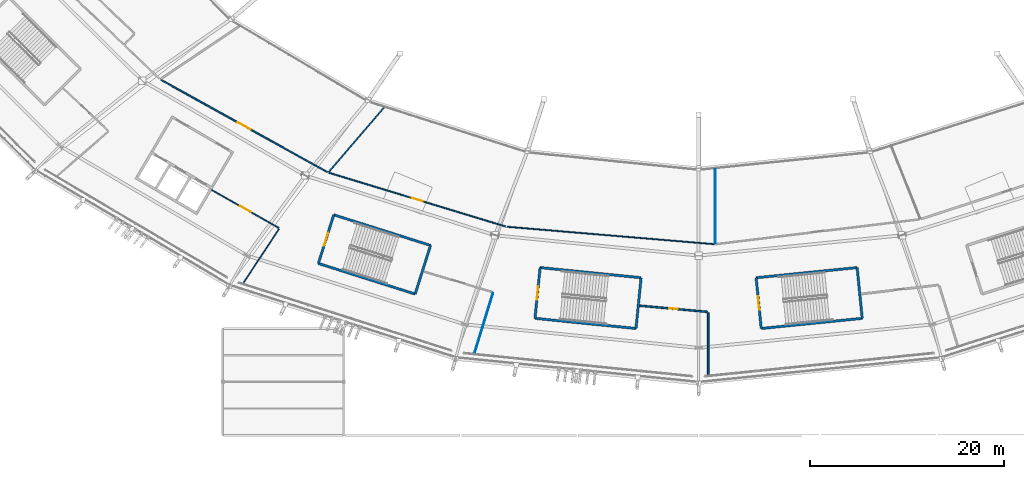
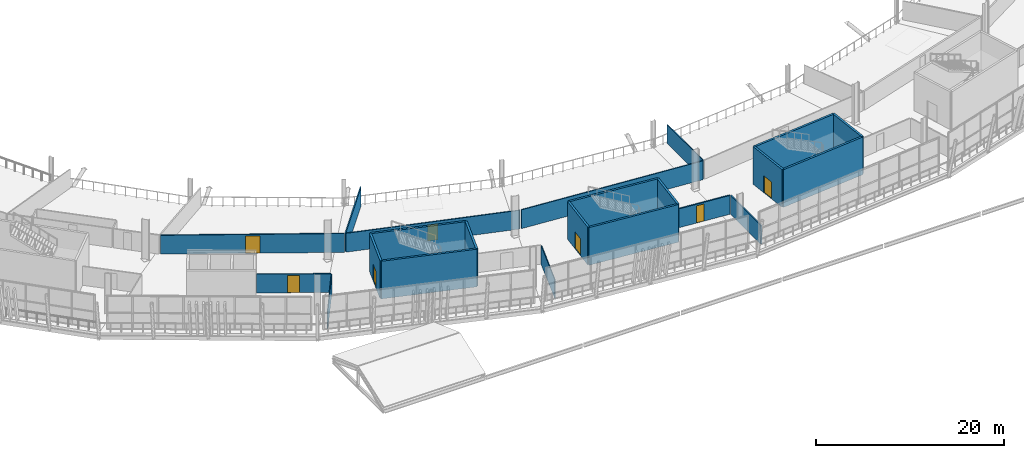
# One storey, part 117 of 168: 22 walls, 7 doors, 7 openings.
"""IFC4 building model written with IfcOpenShell, lengths in metres."""

from ifc_helpers import new_model, si_unit, direction, frame, frame_2d, origin, place, context, subcontext, project, spatial, rectangle, extrude, material, layer, layer_set, type_object, element, fill, save


model = new_model("IFC4")

# Units and contexts
model_context = context("Model", 3, precision=1e-05, world=origin(), true_north=direction((0.0, 1.0)))
body_context = subcontext(model_context, "Body", "Model", "MODEL_VIEW")
ifc_project = project(units=[si_unit("LENGTHUNIT", "METRE"), si_unit("AREAUNIT", "SQUARE_METRE"), si_unit("VOLUMEUNIT", "CUBIC_METRE"), si_unit("PLANEANGLEUNIT", "RADIAN"), si_unit("MASSUNIT", "GRAM", prefix="KILO")], contexts=[model_context])

# Site, building, storey
site_placement = place(None, origin())
site = spatial("IfcSite", under=ifc_project, at=site_placement, CompositionType="ELEMENT")
building_placement = place(site_placement, origin())
building = spatial("IfcBuilding", under=site, at=building_placement, Name="Zlatoyarsky Gate Stadium", CompositionType="ELEMENT")
storey_placement = place(building_placement, frame((0.0, 0.0, 15.60009765625)))
storey = spatial("IfcBuildingStorey", under=building, at=storey_placement, Name="L03", CompositionType="ELEMENT", Elevation=15.60009765625)

# Wall, opening, door
ifc_material_1 = material(Name="Double-stud acoustic gypsum partition", Category="gypsum")
ifc_layer_1 = layer(ifc_material_1, 0.169921875)
ifc_layer_set_1 = layer_set([ifc_layer_1], Name="Double-stud acoustic gypsum partition")
wall_type_1 = type_object("IfcWallType", Name="ACOUSTIC BROADCAST STUDIO WALL 170", PredefinedType="PARTITIONING", material=ifc_layer_set_1)
wall_1_placement = place(storey_placement, frame((104.920166015625, 13.34619140625, 0.0), z_axis=(0.0, 0.0, 1.0), x_axis=(0.995852050998, -0.09098732067, 0.0)))
wall_1 = element("IfcWall", 1, at=wall_1_placement, inside=storey, type_object=wall_type_1, Name="L03 interior partition PRT-L03-OCC-17-1", PredefinedType="PARTITIONING", context=body_context, shape_type="SweptSolid", body=[
    extrude(rectangle(XDim=7.019287109375, YDim=0.169921875, at=frame_2d((3.509765625, 0.0))), origin(), (0.0, 0.0, 1.0), 2.449951171875),
])
opening_1_placement = place(wall_1_placement, frame((3.059814453125, 0.0, 0.0)))
opening_1 = element("IfcOpeningElement", 2, at=opening_1_placement, cuts=wall_1, Name="Opening D-L03-480", PredefinedType="OPENING", context=body_context, shape_type="SweptSolid", body=[
    extrude(rectangle(XDim=0.89990234375, YDim=2.239990234375, at=frame_2d((0.449951171875, 1.1201171875))), frame((0.0, 0.094970703125, 0.0), z_axis=(0.0, -1.0, 0.0), x_axis=(1.0, 0.0, 0.0)), (0.0, 0.0, 1.0), 0.18994140625),
])
ifc_material_2 = material(Name="Powder-coated steel fire door", Category="steel")
door_type_1 = type_object("IfcDoorType", Name="ACOUSTIC INTERIOR DOOR 900X2240", OperationType="NOTDEFINED", PredefinedType="DOOR", material=ifc_material_2)
door_1_placement = place(opening_1_placement, origin())
door_1 = element("IfcDoor", 3, at=door_1_placement, inside=storey, type_object=door_type_1, Name="L03 room door D-L03-480", OperationType="SINGLE_SWING_LEFT", OverallHeight=2.239990234375, OverallWidth=0.89990234375, PredefinedType="DOOR", context=body_context, shape_type="SweptSolid", body=[
    extrude(rectangle(XDim=0.89990234375, YDim=2.239990234375, at=frame_2d((0.449951171875, 1.1201171875))), frame((0.0, 0.02490234375, 0.0), z_axis=(0.0, -1.0, 0.0), x_axis=(1.0, 0.0, 0.0)), (0.0, 0.0, 1.0), 0.050048828125),
])
fill(opening_1, door_1)

ifc_material_3 = material(Name="Moisture-resistant masonry partition", Category="masonry")
ifc_layer_2 = layer(ifc_material_3, 0.139892578125)
ifc_layer_set_2 = layer_set([ifc_layer_2], Name="Moisture-resistant masonry partition")
wall_type_2 = type_object("IfcWallType", Name="ATHLETE CHANGING BLOCK PARTITION 140", PredefinedType="PARTITIONING", material=ifc_layer_set_2)
wall_2_placement = place(storey_placement, frame((55.64111328125, 36.6005859375, 0.0), z_axis=(0.0, 0.0, 1.0), x_axis=(0.874574509401, -0.484891150162, 0.0)))
wall_2 = element("IfcWall", 4, at=wall_2_placement, inside=storey, type_object=wall_type_2, Name="L03 interior partition PRT-L03-ICC-15", PredefinedType="PARTITIONING", context=body_context, shape_type="SweptSolid", body=[
    extrude(rectangle(XDim=19.609130859375, YDim=0.139892578125, at=frame_2d((9.8046875, 0.0))), origin(), (0.0, 0.0, 1.0), 2.449951171875),
])
opening_2_placement = place(wall_2_placement, frame((9.0244140625, 0.0, 0.0)))
opening_2 = element("IfcOpeningElement", 5, at=opening_2_placement, cuts=wall_2, Name="Opening D-L03-433", PredefinedType="OPENING", context=body_context, shape_type="SweptSolid", body=[
    extrude(rectangle(XDim=1.56005859375, YDim=2.239990234375, at=frame_2d((0.780029296875, 1.1201171875))), frame((0.0, 0.079833984375, 0.0), z_axis=(0.0, -1.0, 0.0), x_axis=(1.0, 0.0, 0.0)), (0.0, 0.0, 1.0), 0.159912109375),
])
door_type_2 = type_object("IfcDoorType", Name="ACOUSTIC INTERIOR DOOR 1560X2240", OperationType="NOTDEFINED", PredefinedType="DOOR", material=ifc_material_2)
door_2_placement = place(opening_2_placement, origin())
door_2 = element("IfcDoor", 6, at=door_2_placement, inside=storey, type_object=door_type_2, Name="L03 room door D-L03-433", OperationType="SINGLE_SWING_RIGHT", OverallHeight=2.239990234375, OverallWidth=1.56005859375, PredefinedType="DOOR", context=body_context, shape_type="SweptSolid", body=[
    extrude(rectangle(XDim=1.56005859375, YDim=2.239990234375, at=frame_2d((0.780029296875, 1.1201171875))), frame((0.0, 0.02490234375, 0.0), z_axis=(0.0, -1.0, 0.0), x_axis=(1.0, 0.0, 0.0)), (0.0, 0.0, 1.0), 0.050048828125),
])
fill(opening_2, door_2)

ifc_material_4 = material(Name="Concrete C40/50", Category="concrete")
ifc_layer_3 = layer(ifc_material_4, 0.25)
ifc_layer_set_3 = layer_set([ifc_layer_3], Name="Concrete C40/50")
wall_type_3 = type_object("IfcWallType", Name="CONCRETE STAIR CORE SHEAR WALL 250", PredefinedType="SHEAR", material=ifc_layer_set_3)
wall_3_placement = place(storey_placement, frame((73.436767578125, 22.69873046875, 0.0), z_axis=(0.0, 0.0, 1.0), x_axis=(-0.30152749866, -0.953457480726, 0.0)))
wall_3 = element("IfcWall", 7, at=wall_3_placement, inside=storey, type_object=wall_type_3, Name="ST-09 L03 stair core entrance shear wall", PredefinedType="SHEAR", context=body_context, shape_type="SweptSolid", body=[
    extrude(rectangle(XDim=5.25, YDim=0.25, at=frame_2d((2.625, 0.0))), origin(), (0.0, 0.0, 1.0), 4.89990234375),
])
opening_3_placement = place(wall_3_placement, frame((1.925048828125, 0.0, 0.0)))
opening_3 = element("IfcOpeningElement", 8, at=opening_3_placement, cuts=wall_3, Name="Opening SD-ST-09-L03", PredefinedType="OPENING", context=body_context, shape_type="SweptSolid", body=[
    extrude(rectangle(XDim=1.39990234375, YDim=2.199951171875, at=frame_2d((0.699951171875, 1.10009765625))), frame((0.0, 0.135009765625, 0.0), z_axis=(0.0, -1.0, 0.0), x_axis=(1.0, 0.0, 0.0)), (0.0, 0.0, 1.0), 0.27001953125),
])
door_type_3 = type_object("IfcDoorType", Name="STAIR CORE FIRE EXIT DOOR 1400X2200", OperationType="NOTDEFINED", PredefinedType="DOOR", material=ifc_material_2)
door_3_placement = place(opening_3_placement, frame((1.39990234375, 0.0, 0.0), z_axis=(0.0, 0.0, 1.0), x_axis=(-1.0, 0.0, 0.0)))
door_3 = element("IfcDoor", 9, at=door_3_placement, inside=storey, type_object=door_type_3, Name="ST-09 L03 stair fire door", OperationType="SINGLE_SWING_RIGHT", OverallHeight=2.199951171875, OverallWidth=1.39990234375, PredefinedType="DOOR", context=body_context, shape_type="SweptSolid", body=[
    extrude(rectangle(XDim=1.39990234375, YDim=2.199951171875, at=frame_2d((0.699951171875, 1.10009765625))), frame((0.0, 0.02490234375, 0.0), z_axis=(0.0, -1.0, 0.0), x_axis=(1.0, 0.0, 0.0)), (0.0, 0.0, 1.0), 0.050048828125),
])
fill(opening_3, door_3)

# Walls
wall_4_placement = place(storey_placement, frame((71.853759765625, 17.693115234375, 0.0), z_axis=(0.0, 0.0, 1.0), x_axis=(0.953461834254, -0.301513732061, 0.0)))
element("IfcWall", 10, at=wall_4_placement, inside=storey, type_object=wall_type_3, Name="ST-09 L03 stair core left shear wall", PredefinedType="SHEAR", context=body_context, shape_type="SweptSolid", body=[
    extrude(rectangle(XDim=10.4501953125, YDim=0.25, at=frame_2d((5.22509765625, 0.0))), origin(), (0.0, 0.0, 1.0), 4.89990234375),
])
wall_5_placement = place(storey_placement, frame((81.817626953125, 14.542236328125, 0.0), z_axis=(0.0, 0.0, 1.0), x_axis=(0.301485222482, 0.953470849384, 0.0)))
element("IfcWall", 11, at=wall_5_placement, inside=storey, type_object=wall_type_3, Name="ST-09 L03 stair core far shear wall", PredefinedType="SHEAR", context=body_context, shape_type="SweptSolid", body=[
    extrude(rectangle(XDim=5.25, YDim=0.25, at=frame_2d((2.625, 0.0))), origin(), (0.0, 0.0, 1.0), 4.89990234375),
])
wall_6_placement = place(storey_placement, frame((83.400390625, 19.5478515625, 0.0), z_axis=(0.0, 0.0, 1.0), x_axis=(-0.953459710305, 0.301520448438, 0.0)))
element("IfcWall", 12, at=wall_6_placement, inside=storey, type_object=wall_type_3, Name="ST-09 L03 stair core right shear wall", PredefinedType="SHEAR", context=body_context, shape_type="SweptSolid", body=[
    extrude(rectangle(XDim=10.449951171875, YDim=0.25, at=frame_2d((5.22509765625, 0.0))), origin(), (0.0, 0.0, 1.0), 4.89990234375),
])

# Wall, opening, door
wall_7_placement = place(storey_placement, frame((116.92138671875, 16.220947265625, 0.0), z_axis=(0.0, 0.0, 1.0), x_axis=(0.100028593886, -0.994984562898, 0.0)))
wall_7 = element("IfcWall", 13, at=wall_7_placement, inside=storey, type_object=wall_type_3, Name="ST-10 L03 stair core entrance shear wall", PredefinedType="SHEAR", context=body_context, shape_type="SweptSolid", body=[
    extrude(rectangle(XDim=5.25, YDim=0.25, at=frame_2d((2.625, 0.0))), origin(), (0.0, 0.0, 1.0), 4.89990234375),
])
opening_4_placement = place(wall_7_placement, frame((1.925048828125, 0.0, 0.0)))
opening_4 = element("IfcOpeningElement", 14, at=opening_4_placement, cuts=wall_7, Name="Opening SD-ST-10-L03", PredefinedType="OPENING", context=body_context, shape_type="SweptSolid", body=[
    extrude(rectangle(XDim=1.39990234375, YDim=2.199951171875, at=frame_2d((0.699951171875, 1.10009765625))), frame((0.0, 0.135009765625, 0.0), z_axis=(0.0, -1.0, 0.0), x_axis=(1.0, 0.0, 0.0)), (0.0, 0.0, 1.0), 0.27001953125),
])
door_4_placement = place(opening_4_placement, frame((1.39990234375, 0.0, 0.0), z_axis=(0.0, 0.0, 1.0), x_axis=(-1.0, 0.0, 0.0)))
door_4 = element("IfcDoor", 15, at=door_4_placement, inside=storey, type_object=door_type_3, Name="ST-10 L03 stair fire door", OperationType="SINGLE_SWING_LEFT", OverallHeight=2.199951171875, OverallWidth=1.39990234375, PredefinedType="DOOR", context=body_context, shape_type="SweptSolid", body=[
    extrude(rectangle(XDim=1.39990234375, YDim=2.199951171875, at=frame_2d((0.699951171875, 1.10009765625))), frame((0.0, 0.02490234375, 0.0), z_axis=(0.0, -1.0, 0.0), x_axis=(1.0, 0.0, 0.0)), (0.0, 0.0, 1.0), 0.050048828125),
])
fill(opening_4, door_4)

# Walls
wall_8_placement = place(storey_placement, frame((117.446533203125, 10.997314453125, 0.0), z_axis=(0.0, 0.0, 1.0), x_axis=(0.994985938948, 0.100014905366, 0.0)))
element("IfcWall", 16, at=wall_8_placement, inside=storey, type_object=wall_type_3, Name="ST-10 L03 stair core left shear wall", PredefinedType="SHEAR", context=body_context, shape_type="SweptSolid", body=[
    extrude(rectangle(XDim=10.4501953125, YDim=0.25, at=frame_2d((5.22509765625, 0.0))), origin(), (0.0, 0.0, 1.0), 4.89990234375),
])
wall_9_placement = place(storey_placement, frame((127.84423828125, 12.04248046875, 0.0), z_axis=(0.0, 0.0, 1.0), x_axis=(-0.100028593886, 0.994984562898, 0.0)))
element("IfcWall", 17, at=wall_9_placement, inside=storey, type_object=wall_type_3, Name="ST-10 L03 stair core far shear wall", PredefinedType="SHEAR", context=body_context, shape_type="SweptSolid", body=[
    extrude(rectangle(XDim=5.25, YDim=0.25, at=frame_2d((2.625, 0.0))), origin(), (0.0, 0.0, 1.0), 4.89990234375),
])
wall_10_placement = place(storey_placement, frame((127.319091796875, 17.26611328125, 0.0), z_axis=(0.0, 0.0, 1.0), x_axis=(-0.994985938948, -0.100014905366, 0.0)))
element("IfcWall", 18, at=wall_10_placement, inside=storey, type_object=wall_type_3, Name="ST-10 L03 stair core right shear wall", PredefinedType="SHEAR", context=body_context, shape_type="SweptSolid", body=[
    extrude(rectangle(XDim=10.4501953125, YDim=0.25, at=frame_2d((5.22509765625, 0.0))), origin(), (0.0, 0.0, 1.0), 4.89990234375),
])

# Wall, opening, door
wall_11_placement = place(storey_placement, frame((94.680908203125, 17.26611328125, 0.0), z_axis=(0.0, 0.0, 1.0), x_axis=(-0.10002396577, -0.994985028165, 0.0)))
wall_11 = element("IfcWall", 19, at=wall_11_placement, inside=storey, type_object=wall_type_3, Name="ST-19 L03 stair core entrance shear wall", PredefinedType="SHEAR", context=body_context, shape_type="SweptSolid", body=[
    extrude(rectangle(XDim=5.250244140625, YDim=0.25, at=frame_2d((2.625, 0.0))), origin(), (0.0, 0.0, 1.0), 4.89990234375),
])
opening_5_placement = place(wall_11_placement, frame((1.925048828125, 0.0, 0.0)))
opening_5 = element("IfcOpeningElement", 20, at=opening_5_placement, cuts=wall_11, Name="Opening SD-ST-19-L03", PredefinedType="OPENING", context=body_context, shape_type="SweptSolid", body=[
    extrude(rectangle(XDim=1.39990234375, YDim=2.199951171875, at=frame_2d((0.699951171875, 1.10009765625))), frame((0.0, 0.135009765625, 0.0), z_axis=(0.0, -1.0, 0.0), x_axis=(1.0, 0.0, 0.0)), (0.0, 0.0, 1.0), 0.27001953125),
])
door_5_placement = place(opening_5_placement, frame((1.39990234375, 0.0, 0.0), z_axis=(0.0, 0.0, 1.0), x_axis=(-1.0, 0.0, 0.0)))
door_5 = element("IfcDoor", 21, at=door_5_placement, inside=storey, type_object=door_type_3, Name="ST-19 L03 stair fire door", OperationType="SINGLE_SWING_LEFT", OverallHeight=2.199951171875, OverallWidth=1.39990234375, PredefinedType="DOOR", context=body_context, shape_type="SweptSolid", body=[
    extrude(rectangle(XDim=1.39990234375, YDim=2.199951171875, at=frame_2d((0.699951171875, 1.10009765625))), frame((0.0, 0.02490234375, 0.0), z_axis=(0.0, -1.0, 0.0), x_axis=(1.0, 0.0, 0.0)), (0.0, 0.0, 1.0), 0.050048828125),
])
fill(opening_5, door_5)

# Walls
wall_12_placement = place(storey_placement, frame((94.15576171875, 12.042236328125, 0.0), z_axis=(0.0, 0.0, 1.0), x_axis=(0.994988263568, -0.09999177647, 0.0)))
element("IfcWall", 22, at=wall_12_placement, inside=storey, type_object=wall_type_3, Name="ST-19 L03 stair core left shear wall", PredefinedType="SHEAR", context=body_context, shape_type="SweptSolid", body=[
    extrude(rectangle(XDim=10.4501953125, YDim=0.25, at=frame_2d((5.22509765625, 0.0))), origin(), (0.0, 0.0, 1.0), 4.89990234375),
])
wall_13_placement = place(storey_placement, frame((104.553466796875, 10.997314453125, 0.0), z_axis=(0.0, 0.0, 1.0), x_axis=(0.099982555566, 0.994989190184, 0.0)))
element("IfcWall", 23, at=wall_13_placement, inside=storey, type_object=wall_type_3, Name="ST-19 L03 stair core far shear wall", PredefinedType="SHEAR", context=body_context, shape_type="SweptSolid", body=[
    extrude(rectangle(XDim=5.25, YDim=0.25, at=frame_2d((2.625, 0.0))), origin(), (0.0, 0.0, 1.0), 4.89990234375),
])
wall_14_placement = place(storey_placement, frame((105.078369140625, 16.220947265625, 0.0), z_axis=(0.0, 0.0, 1.0), x_axis=(-0.994985705245, 0.100017230303, 0.0)))
element("IfcWall", 24, at=wall_14_placement, inside=storey, type_object=wall_type_3, Name="ST-19 L03 stair core right shear wall", PredefinedType="SHEAR", context=body_context, shape_type="SweptSolid", body=[
    extrude(rectangle(XDim=10.449951171875, YDim=0.25, at=frame_2d((5.22509765625, 0.0))), origin(), (0.0, 0.0, 1.0), 4.89990234375),
])
ifc_material_5 = material(Name="Timber-veneered acoustic operable partition", Category="wood")
ifc_layer_4 = layer(ifc_material_5, 0.094970703125)
ifc_layer_set_4 = layer_set([ifc_layer_4], Name="Timber-veneered acoustic operable partition")
wall_type_4 = type_object("IfcWallType", Name="FOLDING BANQUET SALON WALL 95", PredefinedType="MOVABLE", material=ifc_layer_set_4)
wall_15_placement = place(storey_placement, frame((89.83642578125, 14.640625, 0.0), z_axis=(0.0, 0.0, 1.0), x_axis=(-0.294734485417, -0.95557918725, 0.0)))
element("IfcWall", 25, at=wall_15_placement, inside=storey, type_object=wall_type_4, Name="L03 interior partition PRT-L03-ORD-16R", PredefinedType="MOVABLE", context=body_context, shape_type="SweptSolid", body=[
    extrude(rectangle(XDim=6.505859375, YDim=0.094970703125, at=frame_2d((3.2529296875, 0.0))), origin(), (0.0, 0.0, 1.0), 2.449951171875),
])
ifc_material_6 = material(Name="Acoustic metal-stud gypsum partition", Category="gypsum")
ifc_layer_5 = layer(ifc_material_6, 0.159912109375)
ifc_layer_set_5 = layer_set([ifc_layer_5], Name="Acoustic metal-stud gypsum partition")
wall_type_5 = type_object("IfcWallType", Name="HOSPITALITY SUITE PARTITION 160", PredefinedType="PARTITIONING", material=ifc_layer_set_5)
wall_16_placement = place(storey_placement, frame((111.9951171875, 12.614990234375, 0.0), z_axis=(0.0, 0.0, 1.0), x_axis=(-3.796219e-05, -0.999999999279, 0.0)))
element("IfcWall", 26, at=wall_16_placement, inside=storey, type_object=wall_type_5, Name="L03 interior partition PRT-L03-ORD-17R", PredefinedType="PARTITIONING", context=body_context, shape_type="SweptSolid", body=[
    extrude(rectangle(XDim=6.43115234375, YDim=0.159912109375, at=frame_2d((3.215576171875, 0.0))), origin(), (0.0, 0.0, 1.0), 2.449951171875),
])
ifc_material_7 = material(Name="Metal-stud gypsum partition", Category="gypsum")
ifc_layer_6 = layer(ifc_material_7, 0.110107421875)
ifc_layer_set_6 = layer_set([ifc_layer_6], Name="Metal-stud gypsum partition")
wall_type_6 = type_object("IfcWallType", Name="KIOSK SERVICE PARTITION 110", PredefinedType="PARTITIONING", material=ifc_layer_set_6)
wall_17_placement = place(storey_placement, frame((91.276611328125, 21.469970703125, 0.0), z_axis=(0.0, 0.0, 1.0), x_axis=(0.996481037388, -0.083818507065, 0.0)))
element("IfcWall", 27, at=wall_17_placement, inside=storey, type_object=wall_type_6, Name="L03 interior partition PRT-L03-ICC-17M", PredefinedType="PARTITIONING", context=body_context, shape_type="SweptSolid", body=[
    extrude(rectangle(XDim=21.40576171875, YDim=0.110107421875, at=frame_2d((10.702880859375, 0.0))), origin(), (0.0, 0.0, 1.0), 2.449951171875),
])

# Wall, opening, door
wall_18_placement = place(storey_placement, frame((60.87353515625, 25.267578125, 0.0), z_axis=(0.0, 0.0, 1.0), x_axis=(0.869144235836, -0.494558689452, 0.0)))
wall_18 = element("IfcWall", 28, at=wall_18_placement, inside=storey, type_object=wall_type_6, Name="L03 interior partition PRT-L03-OCC-15-1", PredefinedType="PARTITIONING", context=body_context, shape_type="SweptSolid", body=[
    extrude(rectangle(XDim=7.9404296875, YDim=0.110107421875, at=frame_2d((3.97021484375, 0.0))), origin(), (0.0, 0.0, 1.0), 2.449951171875),
])
opening_6_placement = place(wall_18_placement, frame((3.350341796875, 0.0, 0.0)))
opening_6 = element("IfcOpeningElement", 29, at=opening_6_placement, cuts=wall_18, Name="Opening D-L03-476", PredefinedType="OPENING", context=body_context, shape_type="SweptSolid", body=[
    extrude(rectangle(XDim=1.239990234375, YDim=2.239990234375, at=frame_2d((0.6201171875, 1.1201171875))), frame((0.0, 0.06494140625, 0.0), z_axis=(0.0, -1.0, 0.0), x_axis=(1.0, 0.0, 0.0)), (0.0, 0.0, 1.0), 0.130126953125),
])
ifc_material_8 = material(Name="Solid-core oak veneer acoustic door", Category="wood")
door_type_4 = type_object("IfcDoorType", Name="ACOUSTIC INTERIOR DOOR 1240X2240", OperationType="NOTDEFINED", PredefinedType="DOOR", material=ifc_material_8)
door_6_placement = place(opening_6_placement, origin())
door_6 = element("IfcDoor", 30, at=door_6_placement, inside=storey, type_object=door_type_4, Name="L03 room door D-L03-476", OperationType="SINGLE_SWING_LEFT", OverallHeight=2.239990234375, OverallWidth=1.239990234375, PredefinedType="DOOR", context=body_context, shape_type="SweptSolid", body=[
    extrude(rectangle(XDim=1.239990234375, YDim=2.239990234375, at=frame_2d((0.6201171875, 1.1201171875))), frame((0.0, 0.02490234375, 0.0), z_axis=(0.0, -1.0, 0.0), x_axis=(1.0, 0.0, 0.0)), (0.0, 0.0, 1.0), 0.050048828125),
])
fill(opening_6, door_6)

# Walls
ifc_layer_7 = layer(ifc_material_7, 0.10009765625)
ifc_layer_set_7 = layer_set([ifc_layer_7], Name="Metal-stud gypsum partition")
wall_type_7 = type_object("IfcWallType", Name="LIGHT STORAGE PARTITION 100", PredefinedType="PARTITIONING", material=ifc_layer_set_7)
wall_19_placement = place(storey_placement, frame((112.69140625, 27.406982421875, 0.0), z_axis=(0.0, 0.0, 1.0), x_axis=(3.1900979e-05, -0.999999999491, 0.0)))
element("IfcWall", 31, at=wall_19_placement, inside=storey, type_object=wall_type_7, Name="L03 interior partition PRT-L03-IRD-18", PredefinedType="PARTITIONING", context=body_context, shape_type="SweptSolid", body=[
    extrude(rectangle(XDim=7.653076171875, YDim=0.10009765625, at=frame_2d((3.82666015625, 0.0))), origin(), (0.0, 0.0, 1.0), 2.449951171875),
])
wall_20_placement = place(storey_placement, frame((67.802001953125, 21.227783203125, 0.0), z_axis=(0.0, 0.0, 1.0), x_axis=(-0.553530673809, -0.832828789819, 0.0)))
element("IfcWall", 32, at=wall_20_placement, inside=storey, type_object=wall_type_7, Name="L03 interior partition PRT-L03-ORD-15R", PredefinedType="PARTITIONING", context=body_context, shape_type="SweptSolid", body=[
    extrude(rectangle(XDim=6.69921875, YDim=0.10009765625, at=frame_2d((3.349609375, 0.0))), origin(), (0.0, 0.0, 1.0), 2.449951171875),
])

# Wall, opening, door
ifc_layer_8 = layer(ifc_material_7, 0.1201171875)
ifc_layer_set_8 = layer_set([ifc_layer_8], Name="Metal-stud gypsum partition")
wall_type_8 = type_object("IfcWallType", Name="OFFICE AND PRESS PARTITION 120", PredefinedType="PARTITIONING", material=ifc_layer_set_8)
wall_21_placement = place(storey_placement, frame((72.9462890625, 27.026611328125, 0.0), z_axis=(0.0, 0.0, 1.0), x_axis=(0.956723233709, -0.290999405637, 0.0)))
wall_21 = element("IfcWall", 33, at=wall_21_placement, inside=storey, type_object=wall_type_8, Name="L03 interior partition PRT-L03-ICC-16", PredefinedType="PARTITIONING", context=body_context, shape_type="SweptSolid", body=[
    extrude(rectangle(XDim=18.98583984375, YDim=0.1201171875, at=frame_2d((9.492919921875, 0.0))), origin(), (0.0, 0.0, 1.0), 2.449951171875),
])
opening_7_placement = place(wall_21_placement, frame((8.9130859375, 0.0, 0.0)))
opening_7 = element("IfcOpeningElement", 34, at=opening_7_placement, cuts=wall_21, Name="Opening D-L03-435", PredefinedType="OPENING", context=body_context, shape_type="SweptSolid", body=[
    extrude(rectangle(XDim=1.159912109375, YDim=2.10009765625, at=frame_2d((0.580078125, 1.050048828125))), frame((0.0, 0.070068359375, 0.0), z_axis=(0.0, -1.0, 0.0), x_axis=(1.0, 0.0, 0.0)), (0.0, 0.0, 1.0), 0.14013671875),
])
door_type_5 = type_object("IfcDoorType", Name="ACOUSTIC INTERIOR DOOR 1160X2100", OperationType="NOTDEFINED", PredefinedType="DOOR", material=ifc_material_8)
door_7_placement = place(opening_7_placement, origin())
door_7 = element("IfcDoor", 35, at=door_7_placement, inside=storey, type_object=door_type_5, Name="L03 room door D-L03-435", OperationType="SINGLE_SWING_LEFT", OverallHeight=2.10009765625, OverallWidth=1.159912109375, PredefinedType="DOOR", context=body_context, shape_type="SweptSolid", body=[
    extrude(rectangle(XDim=1.159912109375, YDim=2.10009765625, at=frame_2d((0.580078125, 1.050048828125))), frame((0.0, 0.02490234375, 0.0), z_axis=(0.0, -1.0, 0.0), x_axis=(1.0, 0.0, 0.0)), (0.0, 0.0, 1.0), 0.050048828125),
])
fill(opening_7, door_7)

# Wall
ifc_material_9 = material(Name="Moisture-resistant tile-backed partition", Category="gypsum")
ifc_layer_9 = layer(ifc_material_9, 0.1298828125)
ifc_layer_set_9 = layer_set([ifc_layer_9], Name="Moisture-resistant tile-backed partition")
wall_type_9 = type_object("IfcWallType", Name="SANITARY WET ROOM PARTITION 130", PredefinedType="PARTITIONING", material=ifc_layer_set_9)
wall_22_placement = place(storey_placement, frame((78.61669921875, 33.74951171875, 0.0), z_axis=(0.0, 0.0, 1.0), x_axis=(-0.651462546992, -0.758680795768, 0.0)))
element("IfcWall", 36, at=wall_22_placement, inside=storey, type_object=wall_type_9, Name="L03 interior partition PRT-L03-IRD-16", PredefinedType="PARTITIONING", context=body_context, shape_type="SweptSolid", body=[
    extrude(rectangle(XDim=8.743896484375, YDim=0.1298828125, at=frame_2d((4.3720703125, 0.0))), origin(), (0.0, 0.0, 1.0), 2.449951171875),
])

save(model, "model.ifc")
